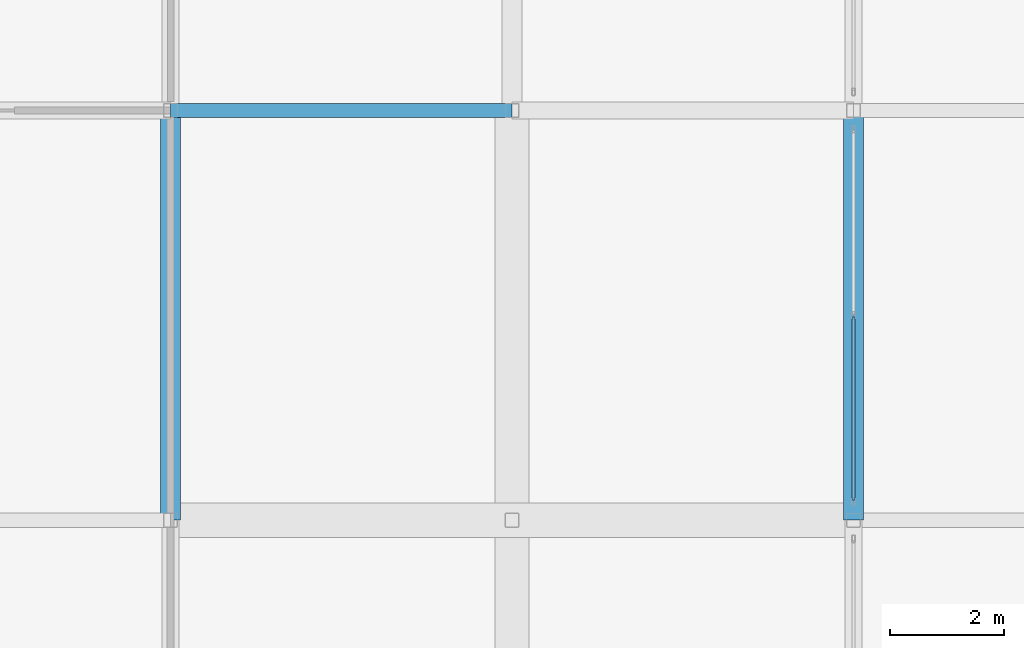
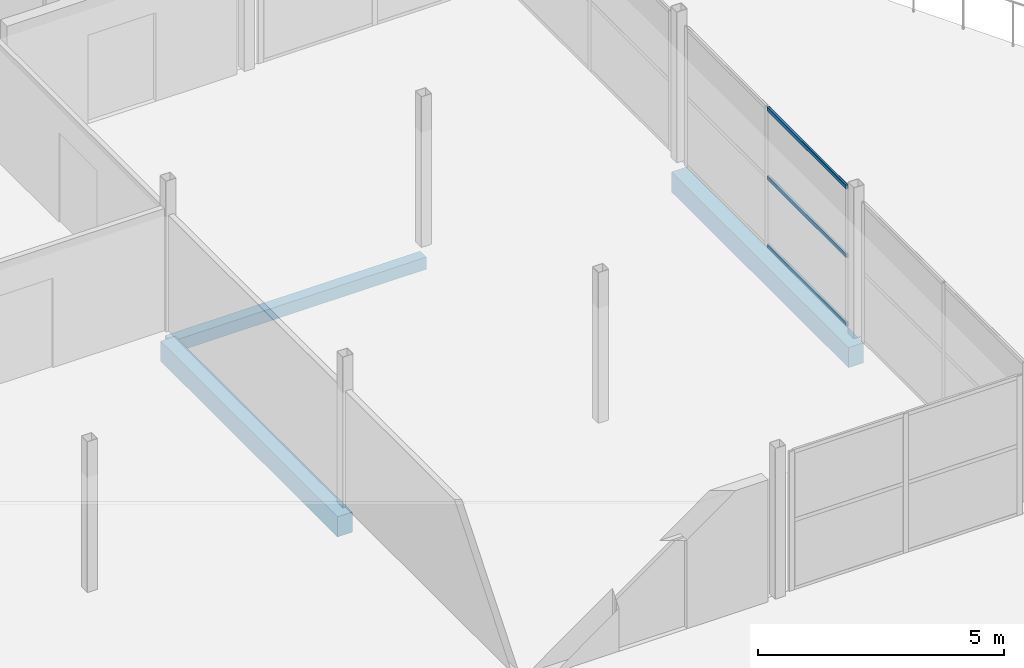
# One storey, part 161 of 239: 3 beams, 3 members, 1 element without a shape of its own.
"""IFC4 building model written with IfcOpenShell, lengths in metres."""

from ifc_helpers import new_model, si_unit, direction, frame, origin, origin_2d, place, context, subcontext, project, spatial, rectangle, hollow_rectangle, extrude, material, layer, layer_set, material_profile, profile_set, type_object, element, aggregate, save


model = new_model("IFC4")

# Units and contexts
model_context = context("Model", 3, precision=1e-05, world=origin(), true_north=direction((0.0, 1.0)))
body_context = subcontext(model_context, "Body", "Model", "MODEL_VIEW")
ifc_project = project(units=[si_unit("LENGTHUNIT", "METRE"), si_unit("AREAUNIT", "SQUARE_METRE"), si_unit("VOLUMEUNIT", "CUBIC_METRE"), si_unit("PLANEANGLEUNIT", "RADIAN"), si_unit("MASSUNIT", "GRAM", prefix="KILO")], contexts=[model_context])

# Site, building, storey
site_placement = place(None, origin())
site = spatial("IfcSite", under=ifc_project, at=site_placement, CompositionType="ELEMENT")
building_placement = place(site_placement, origin())
building = spatial("IfcBuilding", under=site, at=building_placement, Name="Dunvalen Ferry Terminal", CompositionType="ELEMENT")
storey_placement = place(building_placement, frame((0.0, 0.0, 9.840087890625)))
storey = spatial("IfcBuildingStorey", under=building, at=storey_placement, Name="L02", CompositionType="ELEMENT", Elevation=9.840087890625)

# Curtain wall, members
ifc_material_1 = material(Name="Anodised marine aluminium and solar-control glazing", Category="aluminium")
ifc_layer = layer(ifc_material_1, 0.159912109375, Name="Anodised marine aluminium and solar-control glazing")
ifc_layer_set = layer_set([ifc_layer], Name="Anodised marine aluminium and solar-control glazing")
curtain_wall_type = type_object("IfcCurtainWallType", Name="ENV-CW-SYS-10", PredefinedType="NOTDEFINED", material=ifc_layer_set)
curtain_wall_placement = place(storey_placement, origin())
curtain_wall = element("IfcCurtainWall", 1, at=curtain_wall_placement, inside=storey, type_object=curtain_wall_type, Name="L02 Curtain Wall CW-PAV-E-2", PredefinedType="NOTDEFINED")
ifc_material_2 = material(Name="Anodised marine aluminium EN AW-6063 T6", Category="aluminium")
ifc_material_profile_1 = material_profile(ifc_material_2, hollow_rectangle(XDim=0.054931640625, YDim=0.10009765625, WallThickness=0.0029296875, InnerFilletRadius=0.0029296875, OuterFilletRadius=0.006103515625, at=origin_2d()), Name="Anodised marine aluminium EN AW-6063 T6")
ifc_profile_set_1 = profile_set([ifc_material_profile_1], Name="Anodised marine aluminium EN AW-6063 T6")
member_type = type_object("IfcMemberType", Name="ENV-CW-TRN-4", PredefinedType="USERDEFINED", material=ifc_profile_set_1)
member_1_placement = place(storey_placement, frame((156.0, 21.955078125, 0.02734375), z_axis=(0.0, 1.0, 0.0), x_axis=(-1.0, 0.0, 0.0)))
member_1 = element("IfcMember", 2, at=member_1_placement, type_object=member_type, Name="CW-10 transom 1.1", ObjectType="TRANSOM", PredefinedType="USERDEFINED", context=body_context, shape_type="SweptSolid", body=[
    extrude(hollow_rectangle(XDim=0.054931640625, YDim=0.10009765625, WallThickness=0.0029296875, InnerFilletRadius=0.0029296875, OuterFilletRadius=0.006103515625, at=origin_2d()), origin(), (0.0, 0.0, 1.0), 3.217529296875),
])
member_2_placement = place(storey_placement, frame((156.0, 21.955078125, 1.72998046875), z_axis=(0.0, 1.0, 0.0), x_axis=(-1.0, 0.0, 0.0)))
member_2 = element("IfcMember", 3, at=member_2_placement, type_object=member_type, Name="CW-10 transom 1.2", ObjectType="TRANSOM", PredefinedType="USERDEFINED", context=body_context, shape_type="SweptSolid", body=[
    extrude(hollow_rectangle(XDim=0.054931640625, YDim=0.10009765625, WallThickness=0.0029296875, InnerFilletRadius=0.0029296875, OuterFilletRadius=0.006103515625, at=origin_2d()), origin(), (0.0, 0.0, 1.0), 3.217529296875),
])
member_3_placement = place(storey_placement, frame((156.0, 21.955078125, 3.432373046875), z_axis=(0.0, 1.0, 0.0), x_axis=(-1.0, 0.0, 0.0)))
member_3 = element("IfcMember", 4, at=member_3_placement, type_object=member_type, Name="CW-10 transom 1.3", ObjectType="TRANSOM", PredefinedType="USERDEFINED", context=body_context, shape_type="SweptSolid", body=[
    extrude(hollow_rectangle(XDim=0.054931640625, YDim=0.10009765625, WallThickness=0.0029296875, InnerFilletRadius=0.0029296875, OuterFilletRadius=0.006103515625, at=origin_2d()), origin(), (0.0, 0.0, 1.0), 3.217529296875),
])
aggregate(curtain_wall, [member_1, member_2, member_3])

# Beams
ifc_material_3 = material(Name="Concrete C35/45", Category="concrete")
ifc_material_profile_2 = material_profile(ifc_material_3, rectangle(XDim=0.35009765625, YDim=0.5, at=origin_2d()), Name="Concrete C35/45")
ifc_profile_set_2 = profile_set([ifc_material_profile_2], Name="Concrete C35/45")
beam_type_1 = type_object("IfcBeamType", Name="STR-BM-RCB500W", PredefinedType="JOIST", material=ifc_profile_set_2)
for number, where, z_axis, x_axis, name in (
    (5, (144.0, 21.60009765625, -0.530029296875), (0.0, 1.0, 0.0), (-1.0, 0.0, 0.0), "L02 V4 Primary Girder Y-101"),
    (6, (156.0, 21.60009765625, -0.530029296875), (0.0, 1.0, 0.0), (-1.0, 0.0, 0.0), "L02 V4 Primary Girder Y-111"),
):
    element("IfcBeam", number, at=place(storey_placement, frame(where, z_axis=z_axis, x_axis=x_axis)), inside=storey, type_object=beam_type_1, Name=name, PredefinedType="JOIST", context=body_context, shape_type="SweptSolid", body=[
        extrude(rectangle(XDim=0.35009765625, YDim=0.5, at=origin_2d()), origin(), (0.0, 0.0, 1.0), 7.199951171875),
    ])
ifc_material_profile_3 = material_profile(ifc_material_3, rectangle(XDim=0.25, YDim=0.300048828125, at=origin_2d()), Name="Concrete C35/45")
ifc_profile_set_3 = profile_set([ifc_material_profile_3], Name="Concrete C35/45")
beam_type_2 = type_object("IfcBeamType", Name="STR-BM-RCL300", PredefinedType="LINTEL", material=ifc_profile_set_3)
beam_placement = place(storey_placement, frame((144.0, 28.800048828125, -0.43017578125), z_axis=(1.0, 0.0, 0.0), x_axis=(0.0, 1.0, 0.0)))
element("IfcBeam", 7, at=beam_placement, inside=storey, type_object=beam_type_2, Name="L02 V4 Primary Beam X-043", PredefinedType="LINTEL", context=body_context, shape_type="SweptSolid", body=[
    extrude(rectangle(XDim=0.25, YDim=0.300048828125, at=origin_2d()), origin(), (0.0, 0.0, 1.0), 6.0),
])

save(model, "model.ifc")
